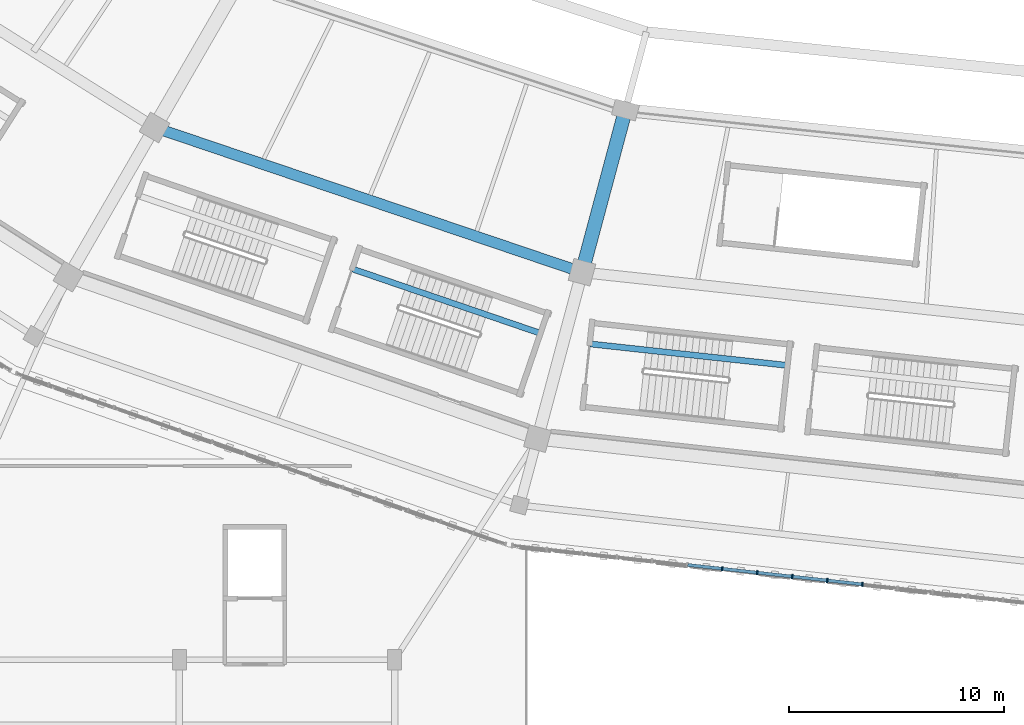
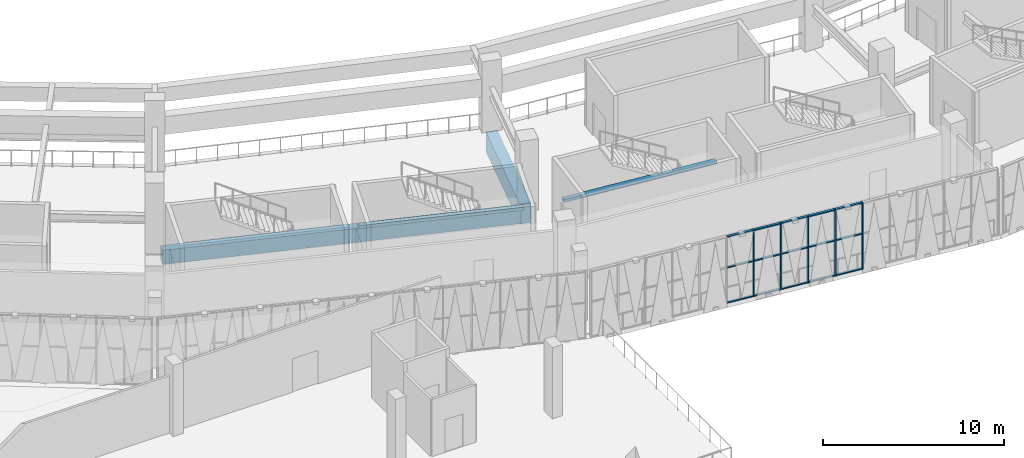
# One storey, part 16 of 179: 20 members, 4 beams, 1 element without a shape of its own.
"""IFC4 building model written with IfcOpenShell, lengths in metres."""

import ifcopenshell
import ifcopenshell.guid

model = None  # the IFC model being written
_history = None  # IfcOwnerHistory: only IFC2X3 demands one
_inside = {}  # id of a spatial element -> (the spatial element, [elements in it])
_under = {}  # id of a project, library or spatial element -> (it, [spatial elements below it])
_declared = {}  # id of a project -> (the project, [libraries it declares])
_typed = {}  # id of a type object -> (the type object, [elements of that type])
_made_of = {}  # id of a material, layer set ... -> (it, [elements and type objects made of it])


def new_model(schema):
    """Start an empty IFC model of exactly this schema.

    Asked for "IFC4X3", IfcOpenShell would pick the latest addendum, in which some entities
    have other attributes; the version numbers below select the first issue.
    IFC2X3 requires an IfcOwnerHistory on every rooted entity: one is made here for all.
    """
    global model, _history
    if schema == "IFC4X3":
        model = ifcopenshell.file(schema_version=(4, 3, 0, 0))
    else:
        model = ifcopenshell.file(schema=schema)
    _inside.clear()
    _under.clear()
    _declared.clear()
    _typed.clear()
    _made_of.clear()
    _history = None
    if model.schema == "IFC2X3":
        org = make("IfcOrganization", Name="unknown")
        user = make(
            "IfcPersonAndOrganization",
            ThePerson=make("IfcPerson", FamilyName="unknown"),
            TheOrganization=org,
        )
        app = make(
            "IfcApplication",
            ApplicationDeveloper=org,
            Version="unknown",
            ApplicationFullName="unknown",
            ApplicationIdentifier="unknown",
        )
        _history = make(
            "IfcOwnerHistory",
            OwningUser=user,
            OwningApplication=app,
            ChangeAction="ADDED",
            CreationDate=0,
        )
    return model


def make(cls, **values):
    """One entity of the class cls with the attributes given. An attribute that is None is left unset."""
    return model.create_entity(
        cls, **{name: value for name, value in values.items() if value is not None}
    )


def rooted(cls, **values):
    """An entity with a GlobalId (a new one), such as an element, a storey or a relation."""
    return make(cls, GlobalId=ifcopenshell.guid.new(), OwnerHistory=_history, **values)


def si_unit(unit_type, name, prefix=None):
    """IfcSIUnit, for example si_unit("LENGTHUNIT", "METRE", prefix="MILLI")."""
    return make("IfcSIUnit", UnitType=unit_type, Prefix=prefix, Name=name)


def assignment(units):
    """IfcUnitAssignment: the units of a project."""
    return None if units is None else make("IfcUnitAssignment", Units=units)


def point(xyz):
    """IfcCartesianPoint."""
    return None if xyz is None else make("IfcCartesianPoint", Coordinates=xyz)


def direction(xyz):
    """IfcDirection."""
    return None if xyz is None else make("IfcDirection", DirectionRatios=xyz)


def frame(location, z_axis=None, x_axis=None):
    """IfcAxis2Placement3D, a coordinate frame: its origin and axes. An axis left out is left unset."""
    return make(
        "IfcAxis2Placement3D",
        Location=point(location),
        Axis=direction(z_axis),
        RefDirection=direction(x_axis),
    )


def frame_2d(location, x_axis=None):
    """IfcAxis2Placement2D, a coordinate frame in the plane: its origin and x axis."""
    return make(
        "IfcAxis2Placement2D", Location=point(location), RefDirection=direction(x_axis)
    )


def origin():
    """The frame at (0, 0, 0) with its axes left unset."""
    return frame((0.0, 0.0, 0.0))


def origin_2d():
    """The frame at (0, 0) in the plane with its x axis left unset."""
    return frame_2d((0.0, 0.0))


def place(relative_to, where):
    """IfcLocalPlacement: puts the frame where relative to a parent placement (None: the world)."""
    return make(
        "IfcLocalPlacement", PlacementRelTo=relative_to, RelativePlacement=where
    )


def context(
    kind, dimensions, precision=None, world=None, true_north=None, identifier=None
):
    """IfcGeometricRepresentationContext, for example the 3D "Model" context."""
    return make(
        "IfcGeometricRepresentationContext",
        ContextIdentifier=identifier,
        ContextType=kind,
        CoordinateSpaceDimension=dimensions,
        Precision=precision,
        WorldCoordinateSystem=world,
        TrueNorth=true_north,
    )


def subcontext(parent, identifier, kind, view, scale=None):
    """IfcGeometricRepresentationSubContext, for example "Body" below "Model"."""
    return make(
        "IfcGeometricRepresentationSubContext",
        ContextIdentifier=identifier,
        ContextType=kind,
        ParentContext=parent,
        TargetScale=scale,
        TargetView=view,
    )


def project(units=None, contexts=None):
    """IfcProject with its units and contexts."""
    return rooted(
        "IfcProject",
        Name="project",
        RepresentationContexts=contexts,
        UnitsInContext=assignment(units),
    )


def spatial(cls, under=None, at=None, **own):
    """A site, building, storey or space (cls), placed at a placement, below another one or the project."""
    s = rooted(cls, ObjectPlacement=at, **own)
    if under is not None:
        _under.setdefault(under.id(), (under, []))[1].append(s)
    return s


def profile(cls, at=None, kind="AREA", **sizes):
    """A parametric profile (cls). Its sizes go by their IFC names, for example OverallWidth=200.0."""
    return make(cls, ProfileType=kind, Position=at, **sizes)


def rectangle(**sizes):
    """IfcRectangleProfileDef."""
    return profile("IfcRectangleProfileDef", **sizes)


def extrude(swept, where, along, depth):
    """IfcExtrudedAreaSolid: the profile swept, set in the frame where, extruded along a direction by depth."""
    return make(
        "IfcExtrudedAreaSolid",
        SweptArea=swept,
        Position=where,
        ExtrudedDirection=direction(along),
        Depth=depth,
    )


def shape(context_of_items, identifier, shape_type, items):
    """IfcShapeRepresentation: the items that make up one representation, for example the "Body"."""
    return make(
        "IfcShapeRepresentation",
        ContextOfItems=context_of_items,
        RepresentationIdentifier=identifier,
        RepresentationType=shape_type,
        Items=items,
    )


def material(Name=None, Category=None):
    """IfcMaterial."""
    return make("IfcMaterial", Name=Name, Category=Category)


def material_profile(
    of_material, cross_section, Name=None, Category=None, Priority=None
):
    """IfcMaterialProfile: a cross section and its material."""
    return make(
        "IfcMaterialProfile",
        Name=Name,
        Material=of_material,
        Profile=cross_section,
        Priority=Priority,
        Category=Category,
    )


def profile_set(profiles, Name=None, composite=None):
    """IfcMaterialProfileSet."""
    return make(
        "IfcMaterialProfileSet",
        Name=Name,
        MaterialProfiles=profiles,
        CompositeProfile=composite,
    )


def made_of(thing, what):
    """Note that an element or type object is made of a material, layer set ...; save() writes the relation."""
    if what is not None:
        _made_of.setdefault(what.id(), (what, []))[1].append(thing)
    return thing


def type_object(cls, material=None, **own):
    """A type object (cls), such as IfcWallType, which elements share."""
    return made_of(rooted(cls, **own), material)


def element(
    cls,
    number,
    at=None,
    inside=None,
    cuts=None,
    type_object=None,
    material=None,
    context=None,
    identifier="Body",
    shape_type=None,
    held_by="IfcProductDefinitionShape",
    body=None,
    shapes=None,
    **own,
):
    """One element of the class cls, such as IfcWall. Its Tag is "e" and its number.

    at: its placement. inside: the storey or other place that contains it. cuts: it is an
    opening in that element (IfcRelVoidsElement). A single representation is given by context,
    identifier, shape_type and body (its items); several are given by shapes. held_by: the class
    of the entity that holds the representations. save() writes the other relations.
    """
    e = rooted(cls, Tag="e%d" % number, ObjectPlacement=at, **own)
    if body is not None:
        shapes = [shape(context, identifier, shape_type, body)]
    if shapes is not None:
        e.Representation = make(held_by, Representations=shapes)
    if inside is not None:
        _inside.setdefault(inside.id(), (inside, []))[1].append(e)
    if cuts is not None:
        rooted(
            "IfcRelVoidsElement", RelatingBuildingElement=cuts, RelatedOpeningElement=e
        )
    if type_object is not None:
        _typed.setdefault(type_object.id(), (type_object, []))[1].append(e)
    return made_of(e, material)


def aggregate(whole, parts):
    """IfcRelAggregates: a whole, such as a stair, and the parts it consists of."""
    return rooted("IfcRelAggregates", RelatingObject=whole, RelatedObjects=parts)


def save(model, path):
    """Write the relations noted so far, then the file.

    IfcRelAggregates (storeys below a building ...), IfcRelContainedInSpatialStructure (elements
    in a storey), IfcRelDefinesByType, IfcRelAssociatesMaterial and IfcRelDeclares: one each for
    every whole, place, type object, material and project.
    """
    for whole, parts in _under.values():
        aggregate(whole, parts)
    for where, things in _inside.values():
        rooted(
            "IfcRelContainedInSpatialStructure",
            RelatedElements=things,
            RelatingStructure=where,
        )
    for kind, things in _typed.values():
        rooted("IfcRelDefinesByType", RelatedObjects=things, RelatingType=kind)
    for what, things in _made_of.values():
        rooted("IfcRelAssociatesMaterial", RelatedObjects=things, RelatingMaterial=what)
    for by, libraries in _declared.values():
        rooted("IfcRelDeclares", RelatingContext=by, RelatedDefinitions=libraries)
    model.write(path)


model = new_model("IFC4")

# Units and contexts
model_context = context("Model", 3, precision=1e-05, world=origin(), true_north=direction((0.0, 1.0)))
body_context = subcontext(model_context, "Body", "Model", "MODEL_VIEW")
ifc_project = project(units=[si_unit("LENGTHUNIT", "METRE"), si_unit("AREAUNIT", "SQUARE_METRE"), si_unit("VOLUMEUNIT", "CUBIC_METRE"), si_unit("PLANEANGLEUNIT", "RADIAN"), si_unit("MASSUNIT", "GRAM", prefix="KILO")], contexts=[model_context])

# Site, building, storey
site_placement = place(None, origin())
site = spatial("IfcSite", under=ifc_project, at=site_placement, CompositionType="ELEMENT")
building_placement = place(site_placement, origin())
building = spatial("IfcBuilding", under=site, at=building_placement, Name="Zevraka Park Crest Stadium", CompositionType="ELEMENT")
storey_placement = place(building_placement, frame((0.0, 0.0, 10.199951171875)))
storey = spatial("IfcBuildingStorey", under=building, at=storey_placement, Name="L02", CompositionType="ELEMENT", Elevation=10.199951171875)

# Beam
ifc_material_1 = material(Name="Concrete C40/50", Category="concrete")
ifc_material_profile_1 = material_profile(ifc_material_1, rectangle(XDim=0.64990234375, YDim=1.35009765625, at=origin_2d()), Name="RC 1350x650")
ifc_profile_set_1 = profile_set([ifc_material_profile_1], Name="Concrete C40/50")
beam_type_1 = type_object("IfcBeamType", Name="BG01", PredefinedType="BEAM", material=ifc_profile_set_1)
beam_1_placement = place(storey_placement, frame((92.639892578125, 34.237060546875, -0.68505859375), z_axis=(-0.258747385792, -0.965945024495, 0.0), x_axis=(0.965945024495, -0.258747385792, 0.0)))
element("IfcBeam", 1, at=beam_1_placement, inside=storey, type_object=beam_type_1, Name="Radial Girder BG01 L02-BC-17", PredefinedType="BEAM", context=body_context, shape_type="SweptSolid", body=[
    extrude(rectangle(XDim=0.64990234375, YDim=1.35009765625, at=origin_2d()), origin(), (0.0, 0.0, 1.0), 7.19921875),
])

# Curtain wall, members
ifc_material_2 = material(Name="Anodised architectural aluminium and laminated safety glass", Category="aluminium")
curtain_wall_type = type_object("IfcCurtainWallType", Name="CW06", PredefinedType="NOTDEFINED", material=ifc_material_2)
curtain_wall_placement = place(storey_placement, origin())
curtain_wall = element("IfcCurtainWall", 2, at=curtain_wall_placement, inside=storey, type_object=curtain_wall_type, Name="Unitised Ring Curtain Wall CW06 L02-17", PredefinedType="NOTDEFINED")
ifc_material_3 = material(Name="Anodised architectural aluminium", Category="aluminium")
ifc_material_profile_2 = material_profile(ifc_material_3, rectangle(XDim=0.199951171875, YDim=0.070068359375, at=origin_2d()), Name="ALU MULLION 200x70")
ifc_profile_set_2 = profile_set([ifc_material_profile_2], Name="Anodised architectural aluminium")
member_type_1 = type_object("IfcMemberType", Name="CM03", PredefinedType="MULLION", material=ifc_profile_set_2)
member_1_placement = place(storey_placement, frame((97.20654296875, 13.22216796875, 0.0), z_axis=(0.0, 0.0, 1.0), x_axis=(0.110293152687, 0.993899099743, 0.0)))
member_1 = element("IfcMember", 3, at=member_1_placement, type_object=member_type_1, Name="CW06 mullion 7", PredefinedType="MULLION", context=body_context, shape_type="SweptSolid", body=[
    extrude(rectangle(XDim=0.199951171875, YDim=0.070068359375, at=origin_2d()), origin(), (0.0, 0.0, 1.0), 4.5),
])
member_2_placement = place(storey_placement, frame((98.8359375, 13.04150390625, 0.0), z_axis=(0.0, 0.0, 1.0), x_axis=(0.110293152687, 0.993899099743, 0.0)))
member_2 = element("IfcMember", 4, at=member_2_placement, type_object=member_type_1, Name="CW06 mullion 8", PredefinedType="MULLION", context=body_context, shape_type="SweptSolid", body=[
    extrude(rectangle(XDim=0.199951171875, YDim=0.070068359375, at=origin_2d()), origin(), (0.0, 0.0, 1.0), 4.5),
])
member_3_placement = place(storey_placement, frame((100.465087890625, 12.860595703125, 0.0), z_axis=(0.0, 0.0, 1.0), x_axis=(0.110293152687, 0.993899099743, 0.0)))
member_3 = element("IfcMember", 5, at=member_3_placement, type_object=member_type_1, Name="CW06 mullion 9", PredefinedType="MULLION", context=body_context, shape_type="SweptSolid", body=[
    extrude(rectangle(XDim=0.199951171875, YDim=0.070068359375, at=origin_2d()), origin(), (0.0, 0.0, 1.0), 4.5),
])
member_4_placement = place(storey_placement, frame((102.094482421875, 12.6796875, 0.0), z_axis=(0.0, 0.0, 1.0), x_axis=(0.110293152687, 0.993899099743, 0.0)))
member_4 = element("IfcMember", 6, at=member_4_placement, type_object=member_type_1, Name="CW06 mullion 10", PredefinedType="MULLION", context=body_context, shape_type="SweptSolid", body=[
    extrude(rectangle(XDim=0.199951171875, YDim=0.070068359375, at=origin_2d()), origin(), (0.0, 0.0, 1.0), 4.5),
])
member_5_placement = place(storey_placement, frame((103.7236328125, 12.4990234375, 0.0), z_axis=(0.0, 0.0, 1.0), x_axis=(0.110293152687, 0.993899099743, 0.0)))
member_5 = element("IfcMember", 7, at=member_5_placement, type_object=member_type_1, Name="CW06 mullion 11", PredefinedType="MULLION", context=body_context, shape_type="SweptSolid", body=[
    extrude(rectangle(XDim=0.199951171875, YDim=0.070068359375, at=origin_2d()), origin(), (0.0, 0.0, 1.0), 4.5),
])
ifc_material_4 = material(Name="Anodised architectural aluminium", Category="aluminium")
ifc_material_profile_3 = material_profile(ifc_material_4, rectangle(XDim=0.14990234375, YDim=0.070068359375, at=origin_2d()), Name="ALU TRANSOM 150x70")
ifc_profile_set_3 = profile_set([ifc_material_profile_3], Name="Anodised architectural aluminium")
member_type_2 = type_object("IfcMemberType", Name="CT03", PredefinedType="USERDEFINED", material=ifc_profile_set_3)
member_6_placement = place(storey_placement, frame((95.612060546875, 13.399169921875, 0.03515625), z_axis=(0.993898902271, -0.110294932182, 0.0), x_axis=(0.110294932182, 0.993898902271, 0.0)))
member_6 = element("IfcMember", 8, at=member_6_placement, type_object=member_type_2, Name="CW06 transom 6.1", ObjectType="TRANSOM", PredefinedType="USERDEFINED", context=body_context, shape_type="SweptSolid", body=[
    extrude(rectangle(XDim=0.14990234375, YDim=0.070068359375, at=origin_2d()), origin(), (0.0, 0.0, 1.0), 1.5693359375),
])
member_7_placement = place(storey_placement, frame((95.612060546875, 13.399169921875, 2.400146484375), z_axis=(0.993898902271, -0.110294932182, 0.0), x_axis=(0.110294932182, 0.993898902271, 0.0)))
member_7 = element("IfcMember", 9, at=member_7_placement, type_object=member_type_2, Name="CW06 transom 6.2", ObjectType="TRANSOM", PredefinedType="USERDEFINED", context=body_context, shape_type="SweptSolid", body=[
    extrude(rectangle(XDim=0.14990234375, YDim=0.070068359375, at=origin_2d()), origin(), (0.0, 0.0, 1.0), 1.5693359375),
])
member_8_placement = place(storey_placement, frame((95.612060546875, 13.399169921875, 4.465087890625), z_axis=(0.993898902271, -0.110294932182, 0.0), x_axis=(0.110294932182, 0.993898902271, 0.0)))
member_8 = element("IfcMember", 10, at=member_8_placement, type_object=member_type_2, Name="CW06 transom 6.3", ObjectType="TRANSOM", PredefinedType="USERDEFINED", context=body_context, shape_type="SweptSolid", body=[
    extrude(rectangle(XDim=0.14990234375, YDim=0.070068359375, at=origin_2d()), origin(), (0.0, 0.0, 1.0), 1.5693359375),
])
member_9_placement = place(storey_placement, frame((97.241455078125, 13.21826171875, 0.03515625), z_axis=(0.993897009399, -0.11031198805, 0.0), x_axis=(0.11031198805, 0.993897009399, 0.0)))
member_9 = element("IfcMember", 11, at=member_9_placement, type_object=member_type_2, Name="CW06 transom 7.1", ObjectType="TRANSOM", PredefinedType="USERDEFINED", context=body_context, shape_type="SweptSolid", body=[
    extrude(rectangle(XDim=0.14990234375, YDim=0.070068359375, at=origin_2d()), origin(), (0.0, 0.0, 1.0), 1.569091796875),
])
member_10_placement = place(storey_placement, frame((97.241455078125, 13.21826171875, 2.400146484375), z_axis=(0.993897009399, -0.11031198805, 0.0), x_axis=(0.11031198805, 0.993897009399, 0.0)))
member_10 = element("IfcMember", 12, at=member_10_placement, type_object=member_type_2, Name="CW06 transom 7.2", ObjectType="TRANSOM", PredefinedType="USERDEFINED", context=body_context, shape_type="SweptSolid", body=[
    extrude(rectangle(XDim=0.14990234375, YDim=0.070068359375, at=origin_2d()), origin(), (0.0, 0.0, 1.0), 1.569091796875),
])
member_11_placement = place(storey_placement, frame((97.241455078125, 13.21826171875, 4.465087890625), z_axis=(0.993897009399, -0.11031198805, 0.0), x_axis=(0.11031198805, 0.993897009399, 0.0)))
member_11 = element("IfcMember", 13, at=member_11_placement, type_object=member_type_2, Name="CW06 transom 7.3", ObjectType="TRANSOM", PredefinedType="USERDEFINED", context=body_context, shape_type="SweptSolid", body=[
    extrude(rectangle(XDim=0.14990234375, YDim=0.070068359375, at=origin_2d()), origin(), (0.0, 0.0, 1.0), 1.569091796875),
])
member_12_placement = place(storey_placement, frame((98.87060546875, 13.03759765625, 0.03515625), z_axis=(0.993898902271, -0.110294932182, 0.0), x_axis=(0.110294932182, 0.993898902271, 0.0)))
member_12 = element("IfcMember", 14, at=member_12_placement, type_object=member_type_2, Name="CW06 transom 8.1", ObjectType="TRANSOM", PredefinedType="USERDEFINED", context=body_context, shape_type="SweptSolid", body=[
    extrude(rectangle(XDim=0.14990234375, YDim=0.070068359375, at=origin_2d()), origin(), (0.0, 0.0, 1.0), 1.5693359375),
])
member_13_placement = place(storey_placement, frame((98.87060546875, 13.03759765625, 2.400146484375), z_axis=(0.993898902271, -0.110294932182, 0.0), x_axis=(0.110294932182, 0.993898902271, 0.0)))
member_13 = element("IfcMember", 15, at=member_13_placement, type_object=member_type_2, Name="CW06 transom 8.2", ObjectType="TRANSOM", PredefinedType="USERDEFINED", context=body_context, shape_type="SweptSolid", body=[
    extrude(rectangle(XDim=0.14990234375, YDim=0.070068359375, at=origin_2d()), origin(), (0.0, 0.0, 1.0), 1.5693359375),
])
member_14_placement = place(storey_placement, frame((98.87060546875, 13.03759765625, 4.465087890625), z_axis=(0.993898902271, -0.110294932182, 0.0), x_axis=(0.110294932182, 0.993898902271, 0.0)))
member_14 = element("IfcMember", 16, at=member_14_placement, type_object=member_type_2, Name="CW06 transom 8.3", ObjectType="TRANSOM", PredefinedType="USERDEFINED", context=body_context, shape_type="SweptSolid", body=[
    extrude(rectangle(XDim=0.14990234375, YDim=0.070068359375, at=origin_2d()), origin(), (0.0, 0.0, 1.0), 1.5693359375),
])
member_15_placement = place(storey_placement, frame((100.5, 12.856689453125, 0.03515625), z_axis=(0.993897009399, -0.11031198805, 0.0), x_axis=(0.11031198805, 0.993897009399, 0.0)))
member_15 = element("IfcMember", 17, at=member_15_placement, type_object=member_type_2, Name="CW06 transom 9.1", ObjectType="TRANSOM", PredefinedType="USERDEFINED", context=body_context, shape_type="SweptSolid", body=[
    extrude(rectangle(XDim=0.14990234375, YDim=0.070068359375, at=origin_2d()), origin(), (0.0, 0.0, 1.0), 1.569091796875),
])
member_16_placement = place(storey_placement, frame((100.5, 12.856689453125, 2.400146484375), z_axis=(0.993897009399, -0.11031198805, 0.0), x_axis=(0.11031198805, 0.993897009399, 0.0)))
member_16 = element("IfcMember", 18, at=member_16_placement, type_object=member_type_2, Name="CW06 transom 9.2", ObjectType="TRANSOM", PredefinedType="USERDEFINED", context=body_context, shape_type="SweptSolid", body=[
    extrude(rectangle(XDim=0.14990234375, YDim=0.070068359375, at=origin_2d()), origin(), (0.0, 0.0, 1.0), 1.569091796875),
])
member_17_placement = place(storey_placement, frame((100.5, 12.856689453125, 4.465087890625), z_axis=(0.993897009399, -0.11031198805, 0.0), x_axis=(0.11031198805, 0.993897009399, 0.0)))
member_17 = element("IfcMember", 19, at=member_17_placement, type_object=member_type_2, Name="CW06 transom 9.3", ObjectType="TRANSOM", PredefinedType="USERDEFINED", context=body_context, shape_type="SweptSolid", body=[
    extrude(rectangle(XDim=0.14990234375, YDim=0.070068359375, at=origin_2d()), origin(), (0.0, 0.0, 1.0), 1.569091796875),
])
member_18_placement = place(storey_placement, frame((102.129150390625, 12.676025390625, 0.03515625), z_axis=(0.993898902271, -0.110294932182, 0.0), x_axis=(0.110294932182, 0.993898902271, 0.0)))
member_18 = element("IfcMember", 20, at=member_18_placement, type_object=member_type_2, Name="CW06 transom 10.1", ObjectType="TRANSOM", PredefinedType="USERDEFINED", context=body_context, shape_type="SweptSolid", body=[
    extrude(rectangle(XDim=0.14990234375, YDim=0.070068359375, at=origin_2d()), origin(), (0.0, 0.0, 1.0), 1.5693359375),
])
member_19_placement = place(storey_placement, frame((102.129150390625, 12.676025390625, 2.400146484375), z_axis=(0.993898902271, -0.110294932182, 0.0), x_axis=(0.110294932182, 0.993898902271, 0.0)))
member_19 = element("IfcMember", 21, at=member_19_placement, type_object=member_type_2, Name="CW06 transom 10.2", ObjectType="TRANSOM", PredefinedType="USERDEFINED", context=body_context, shape_type="SweptSolid", body=[
    extrude(rectangle(XDim=0.14990234375, YDim=0.070068359375, at=origin_2d()), origin(), (0.0, 0.0, 1.0), 1.5693359375),
])
member_20_placement = place(storey_placement, frame((102.129150390625, 12.676025390625, 4.465087890625), z_axis=(0.993898902271, -0.110294932182, 0.0), x_axis=(0.110294932182, 0.993898902271, 0.0)))
member_20 = element("IfcMember", 22, at=member_20_placement, type_object=member_type_2, Name="CW06 transom 10.3", ObjectType="TRANSOM", PredefinedType="USERDEFINED", context=body_context, shape_type="SweptSolid", body=[
    extrude(rectangle(XDim=0.14990234375, YDim=0.070068359375, at=origin_2d()), origin(), (0.0, 0.0, 1.0), 1.5693359375),
])
aggregate(curtain_wall, [member_1, member_2, member_3, member_4, member_5, member_6, member_7, member_8, member_9, member_10, member_11, member_12, member_13, member_14, member_15, member_16, member_17, member_18, member_19, member_20])

# Beams
ifc_material_5 = material(Name="Concrete C40/50", Category="concrete")
ifc_material_profile_4 = material_profile(ifc_material_5, rectangle(XDim=0.5, YDim=0.949951171875, at=origin_2d()), Name="RC 950x500")
ifc_profile_set_4 = profile_set([ifc_material_profile_4], Name="Concrete C40/50")
beam_type_2 = type_object("IfcBeamType", Name="RB02", PredefinedType="BEAM", material=ifc_profile_set_4)
beam_2_placement = place(storey_placement, frame((71.2099609375, 33.593994140625, -0.48486328125), z_axis=(0.947147952377, -0.320797064058, 0.0), x_axis=(0.320797064058, 0.947147952377, 0.0)))
element("IfcBeam", 23, at=beam_2_placement, inside=storey, type_object=beam_type_2, Name="Ring Beam RB02 L02-C-16", PredefinedType="BEAM", context=body_context, shape_type="SweptSolid", body=[
    extrude(rectangle(XDim=0.5, YDim=0.949951171875, at=origin_2d()), origin(), (0.0, 0.0, 1.0), 20.196533203125),
])
ifc_material_6 = material(Name="Concrete C40/50", Category="concrete")
ifc_material_profile_5 = material_profile(ifc_material_6, rectangle(XDim=0.280029296875, YDim=0.199951171875, at=origin_2d()), Name="RC 200x280")
ifc_profile_set_5 = profile_set([ifc_material_profile_5], Name="Concrete C40/50")
beam_type_3 = type_object("IfcBeamType", Name="SJ13", PredefinedType="JOIST", material=ifc_profile_set_5)
for number, where, z_axis, x_axis, name in (
    (24, (91.08203125, 23.6630859375, 2.300048828125), (0.994127809114, -0.108212287404, 0.0), (0.108212287404, 0.994127809114, 0.0), "Stair Upper-Flight Longitudinal Stringer SJ13 ST18-L02"),
    (25, (80.052001953125, 27.14111328125, 2.300048828125), (0.946062257195, -0.323984884697, 0.0), (0.323984884697, 0.946062257195, 0.0), "Stair Upper-Flight Longitudinal Stringer SJ13 ST29-L02"),
):
    element("IfcBeam", number, at=place(storey_placement, frame(where, z_axis=z_axis, x_axis=x_axis)), inside=storey, type_object=beam_type_3, Name=name, PredefinedType="JOIST", context=body_context, shape_type="SweptSolid", body=[
        extrude(rectangle(XDim=0.280029296875, YDim=0.199951171875, at=origin_2d()), origin(), (0.0, 0.0, 1.0), 9.25),
    ])

save(model, "model.ifc")
